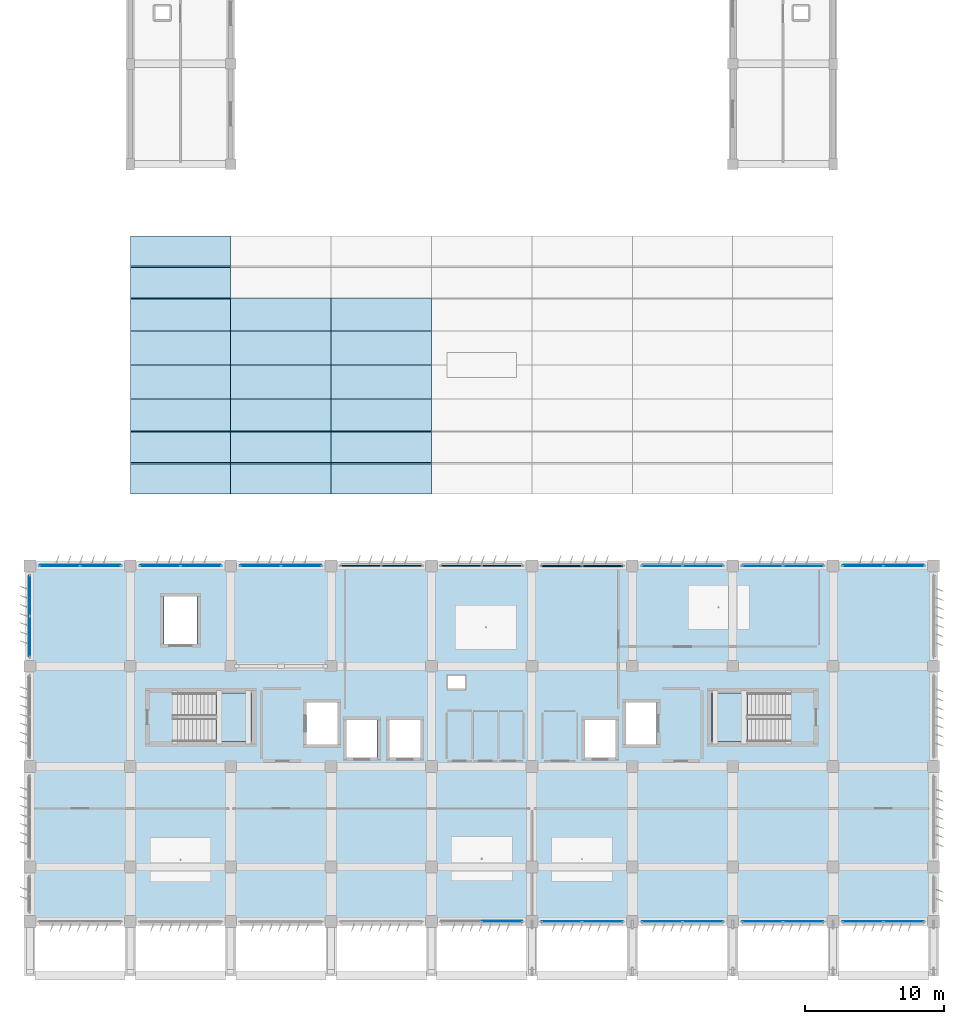
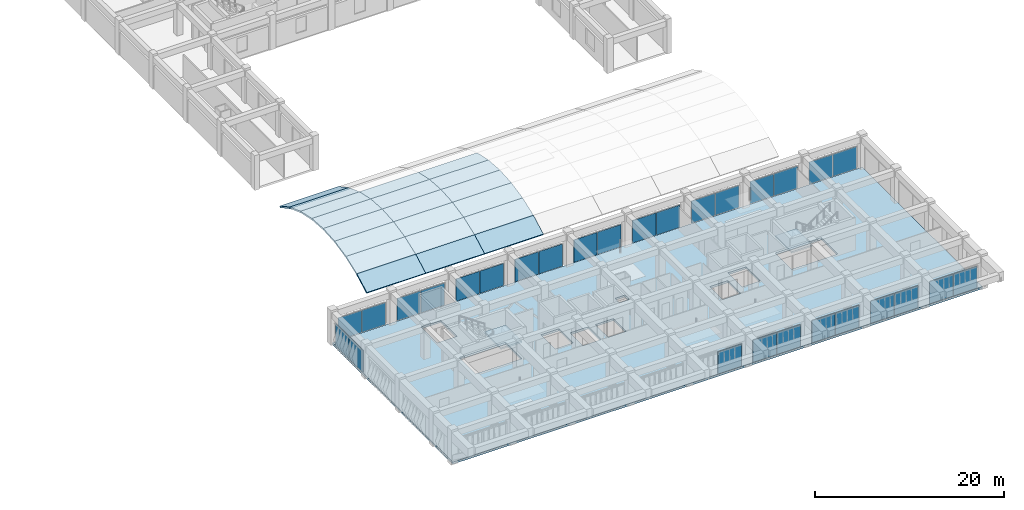
# One storey, part 32 of 56: 29 plates, 23 slabs, 17 elements without a shape of their own.
"""IFC4 building model written with IfcOpenShell, lengths in metres."""

from ifc_helpers import new_model, si_unit, direction, frame, origin, origin_2d, place, context, subcontext, project, spatial, polyline, rectangle, outline, extrude, material, layer, layer_set, type_object, element, aggregate, save


model = new_model("IFC4")

# Units and contexts
model_context = context("Model", 3, precision=1e-05, world=origin(), true_north=direction((0.0, 1.0)))
body_context = subcontext(model_context, "Body", "Model", "MODEL_VIEW")
ifc_project = project(units=[si_unit("LENGTHUNIT", "METRE"), si_unit("AREAUNIT", "SQUARE_METRE"), si_unit("VOLUMEUNIT", "CUBIC_METRE"), si_unit("PLANEANGLEUNIT", "RADIAN"), si_unit("MASSUNIT", "GRAM", prefix="KILO")], contexts=[model_context])

# Site, building, storey
site_placement = place(None, origin())
site = spatial("IfcSite", under=ifc_project, at=site_placement, CompositionType="ELEMENT")
building_placement = place(site_placement, origin())
building = spatial("IfcBuilding", under=site, at=building_placement, Name="Kazehaya Institute of Natural Sciences", CompositionType="ELEMENT")
storey_placement = place(building_placement, frame((0.0, 0.0, 24.300048828125)))
storey = spatial("IfcBuildingStorey", under=building, at=storey_placement, Name="L05", CompositionType="ELEMENT", Elevation=24.300048828125)

# Curtain wall, plates
ifc_material_1 = material(Name="Aluminium alloy A6063S-T5", Category="aluminium")
curtain_wall_type_1 = type_object("IfcCurtainWallType", Name="CW-SYS-04", PredefinedType="NOTDEFINED", material=ifc_material_1)
curtain_wall_1_placement = place(storey_placement, origin())
curtain_wall_1 = element("IfcCurtainWall", 1, at=curtain_wall_1_placement, inside=storey, type_object=curtain_wall_type_1, Name="L05 unitised curtain wall CW-L05-094", PredefinedType="NOTDEFINED")
ifc_material_2 = material(Name="Low-E double-glazed vision glass", Category="glass")
ifc_layer_1 = layer(ifc_material_2, 0.030029296875, Name="Low-E double-glazed vision glass", Category="glass")
ifc_layer_set_1 = layer_set([ifc_layer_1], Name="Low-E double-glazed vision glass")
plate_type_1 = type_object("IfcPlateType", Name="CWP-01", PredefinedType="CURTAIN_PANEL", material=ifc_layer_set_1)
plate_1_placement = place(storey_placement, frame((117.264892578125, 10.10009765625, 0.06005859375), z_axis=(0.0, 0.0, 1.0), x_axis=(-1.0, 0.0, 0.0)))
plate_1 = element("IfcPlate", 2, at=plate_1_placement, type_object=plate_type_1, Name="CW04 panel 1.1", PredefinedType="CURTAIN_PANEL", context=body_context, shape_type="SweptSolid", body=[
    extrude(rectangle(XDim=2.8701171875, YDim=0.030029296875, at=origin_2d()), origin(), (0.0, 0.0, 1.0), 2.8798828125),
])
plate_2_placement = place(storey_placement, frame((114.3349609375, 10.10009765625, 0.06005859375), z_axis=(0.0, 0.0, 1.0), x_axis=(-1.0, 0.0, 0.0)))
plate_2 = element("IfcPlate", 3, at=plate_2_placement, type_object=plate_type_1, Name="CW04 panel 2.1", PredefinedType="CURTAIN_PANEL", context=body_context, shape_type="SweptSolid", body=[
    extrude(rectangle(XDim=2.8701171875, YDim=0.030029296875, at=origin_2d()), origin(), (0.0, 0.0, 1.0), 2.8798828125),
])
aggregate(curtain_wall_1, [plate_1, plate_2])

curtain_wall_2_placement = place(storey_placement, origin())
curtain_wall_2 = element("IfcCurtainWall", 4, at=curtain_wall_2_placement, inside=storey, type_object=curtain_wall_type_1, Name="L05 unitised curtain wall CW-L05-109", PredefinedType="NOTDEFINED")
plate_3_placement = place(storey_placement, frame((99.93505859375, 35.60009765625, 0.06005859375), z_axis=(0.0, 0.0, 1.0), x_axis=(1.0, 0.0, 0.0)))
plate_3 = element("IfcPlate", 5, at=plate_3_placement, type_object=plate_type_1, Name="CW04 panel 1.1", PredefinedType="CURTAIN_PANEL", context=body_context, shape_type="SweptSolid", body=[
    extrude(rectangle(XDim=2.8701171875, YDim=0.030029296875, at=origin_2d()), origin(), (0.0, 0.0, 1.0), 2.8798828125),
])
plate_4_placement = place(storey_placement, frame((102.864990234375, 35.60009765625, 0.06005859375), z_axis=(0.0, 0.0, 1.0), x_axis=(1.0, 0.0, 0.0)))
plate_4 = element("IfcPlate", 6, at=plate_4_placement, type_object=plate_type_1, Name="CW04 panel 2.1", PredefinedType="CURTAIN_PANEL", context=body_context, shape_type="SweptSolid", body=[
    extrude(rectangle(XDim=2.8701171875, YDim=0.030029296875, at=origin_2d()), origin(), (0.0, 0.0, 1.0), 2.8798828125),
])
aggregate(curtain_wall_2, [plate_3, plate_4])

curtain_wall_3_placement = place(storey_placement, origin())
curtain_wall_3 = element("IfcCurtainWall", 7, at=curtain_wall_3_placement, inside=storey, type_object=curtain_wall_type_1, Name="L05 unitised curtain wall CW-L05-095", PredefinedType="NOTDEFINED")
ifc_layer_2 = layer(ifc_material_2, 0.0400390625, Name="Low-E double-glazed vision glass", Category="glass")
ifc_layer_set_2 = layer_set([ifc_layer_2], Name="Low-E double-glazed vision glass")
plate_type_2 = type_object("IfcPlateType", Name="CWP-02", PredefinedType="CURTAIN_PANEL", material=ifc_layer_set_2)
plate_5_placement = place(storey_placement, frame((110.06494140625, 10.10009765625, 0.06005859375), z_axis=(0.0, 0.0, 1.0), x_axis=(-1.0, 0.0, 0.0)))
plate_5 = element("IfcPlate", 8, at=plate_5_placement, type_object=plate_type_2, Name="CW04 panel 1.1", PredefinedType="CURTAIN_PANEL", context=body_context, shape_type="SweptSolid", body=[
    extrude(rectangle(XDim=2.8701171875, YDim=0.0400390625, at=origin_2d()), origin(), (0.0, 0.0, 1.0), 2.8798828125),
])
plate_6_placement = place(storey_placement, frame((107.135009765625, 10.10009765625, 0.06005859375), z_axis=(0.0, 0.0, 1.0), x_axis=(-1.0, 0.0, 0.0)))
plate_6 = element("IfcPlate", 9, at=plate_6_placement, type_object=plate_type_2, Name="CW04 panel 2.1", PredefinedType="CURTAIN_PANEL", context=body_context, shape_type="SweptSolid", body=[
    extrude(rectangle(XDim=2.8701171875, YDim=0.0400390625, at=origin_2d()), origin(), (0.0, 0.0, 1.0), 2.8798828125),
])
aggregate(curtain_wall_3, [plate_5, plate_6])

curtain_wall_4_placement = place(storey_placement, origin())
curtain_wall_4 = element("IfcCurtainWall", 10, at=curtain_wall_4_placement, inside=storey, type_object=curtain_wall_type_1, Name="L05 unitised curtain wall CW-L05-110", PredefinedType="NOTDEFINED")
plate_7_placement = place(storey_placement, frame((107.135009765625, 35.60009765625, 0.06005859375), z_axis=(0.0, 0.0, 1.0), x_axis=(1.0, 0.0, 0.0)))
plate_7 = element("IfcPlate", 11, at=plate_7_placement, type_object=plate_type_2, Name="CW04 panel 1.1", PredefinedType="CURTAIN_PANEL", context=body_context, shape_type="SweptSolid", body=[
    extrude(rectangle(XDim=2.8701171875, YDim=0.0400390625, at=origin_2d()), origin(), (0.0, 0.0, 1.0), 2.8798828125),
])
plate_8_placement = place(storey_placement, frame((110.06494140625, 35.60009765625, 0.06005859375), z_axis=(0.0, 0.0, 1.0), x_axis=(1.0, 0.0, 0.0)))
plate_8 = element("IfcPlate", 12, at=plate_8_placement, type_object=plate_type_2, Name="CW04 panel 2.1", PredefinedType="CURTAIN_PANEL", context=body_context, shape_type="SweptSolid", body=[
    extrude(rectangle(XDim=2.8701171875, YDim=0.0400390625, at=origin_2d()), origin(), (0.0, 0.0, 1.0), 2.8798828125),
])
aggregate(curtain_wall_4, [plate_7, plate_8])

curtain_wall_5_placement = place(storey_placement, origin())
curtain_wall_5 = element("IfcCurtainWall", 13, at=curtain_wall_5_placement, inside=storey, type_object=curtain_wall_type_1, Name="L05 unitised curtain wall CW-L05-096", PredefinedType="NOTDEFINED")
ifc_layer_3 = layer(ifc_material_2, 0.050048828125, Name="Low-E double-glazed vision glass", Category="glass")
ifc_layer_set_3 = layer_set([ifc_layer_3], Name="Low-E double-glazed vision glass")
plate_type_3 = type_object("IfcPlateType", Name="CWP-03", PredefinedType="CURTAIN_PANEL", material=ifc_layer_set_3)
plate_9_placement = place(storey_placement, frame((102.864990234375, 10.10009765625, 0.06005859375), z_axis=(0.0, 0.0, 1.0), x_axis=(-1.0, 0.0, 0.0)))
plate_9 = element("IfcPlate", 14, at=plate_9_placement, type_object=plate_type_3, Name="CW04 panel 1.1", PredefinedType="CURTAIN_PANEL", context=body_context, shape_type="SweptSolid", body=[
    extrude(rectangle(XDim=2.8701171875, YDim=0.050048828125, at=origin_2d()), origin(), (0.0, 0.0, 1.0), 2.8798828125),
])
plate_10_placement = place(storey_placement, frame((99.93505859375, 10.10009765625, 0.06005859375), z_axis=(0.0, 0.0, 1.0), x_axis=(-1.0, 0.0, 0.0)))
plate_10 = element("IfcPlate", 15, at=plate_10_placement, type_object=plate_type_3, Name="CW04 panel 2.1", PredefinedType="CURTAIN_PANEL", context=body_context, shape_type="SweptSolid", body=[
    extrude(rectangle(XDim=2.8701171875, YDim=0.050048828125, at=origin_2d()), origin(), (0.0, 0.0, 1.0), 2.8798828125),
])
aggregate(curtain_wall_5, [plate_9, plate_10])

curtain_wall_6_placement = place(storey_placement, origin())
curtain_wall_6 = element("IfcCurtainWall", 16, at=curtain_wall_6_placement, inside=storey, type_object=curtain_wall_type_1, Name="L05 unitised curtain wall CW-L05-103", PredefinedType="NOTDEFINED")
plate_11_placement = place(storey_placement, frame((56.735107421875, 35.60009765625, 0.06005859375), z_axis=(0.0, 0.0, 1.0), x_axis=(1.0, 0.0, 0.0)))
plate_11 = element("IfcPlate", 17, at=plate_11_placement, type_object=plate_type_3, Name="CW04 panel 1.1", PredefinedType="CURTAIN_PANEL", context=body_context, shape_type="SweptSolid", body=[
    extrude(rectangle(XDim=2.8701171875, YDim=0.050048828125, at=origin_2d()), origin(), (0.0, 0.0, 1.0), 2.8798828125),
])
plate_12_placement = place(storey_placement, frame((59.6650390625, 35.60009765625, 0.06005859375), z_axis=(0.0, 0.0, 1.0), x_axis=(1.0, 0.0, 0.0)))
plate_12 = element("IfcPlate", 18, at=plate_12_placement, type_object=plate_type_3, Name="CW04 panel 2.1", PredefinedType="CURTAIN_PANEL", context=body_context, shape_type="SweptSolid", body=[
    extrude(rectangle(XDim=2.8701171875, YDim=0.050048828125, at=origin_2d()), origin(), (0.0, 0.0, 1.0), 2.8798828125),
])
aggregate(curtain_wall_6, [plate_11, plate_12])

curtain_wall_7_placement = place(storey_placement, origin())
curtain_wall_7 = element("IfcCurtainWall", 19, at=curtain_wall_7_placement, inside=storey, type_object=curtain_wall_type_1, Name="L05 unitised curtain wall CW-L05-111", PredefinedType="NOTDEFINED")
plate_13_placement = place(storey_placement, frame((114.3349609375, 35.60009765625, 0.06005859375), z_axis=(0.0, 0.0, 1.0), x_axis=(1.0, 0.0, 0.0)))
plate_13 = element("IfcPlate", 20, at=plate_13_placement, type_object=plate_type_3, Name="CW04 panel 1.1", PredefinedType="CURTAIN_PANEL", context=body_context, shape_type="SweptSolid", body=[
    extrude(rectangle(XDim=2.8701171875, YDim=0.050048828125, at=origin_2d()), origin(), (0.0, 0.0, 1.0), 2.8798828125),
])
plate_14_placement = place(storey_placement, frame((117.264892578125, 35.60009765625, 0.06005859375), z_axis=(0.0, 0.0, 1.0), x_axis=(1.0, 0.0, 0.0)))
plate_14 = element("IfcPlate", 21, at=plate_14_placement, type_object=plate_type_3, Name="CW04 panel 2.1", PredefinedType="CURTAIN_PANEL", context=body_context, shape_type="SweptSolid", body=[
    extrude(rectangle(XDim=2.8701171875, YDim=0.050048828125, at=origin_2d()), origin(), (0.0, 0.0, 1.0), 2.8798828125),
])
aggregate(curtain_wall_7, [plate_13, plate_14])

curtain_wall_8_placement = place(storey_placement, origin())
curtain_wall_8 = element("IfcCurtainWall", 22, at=curtain_wall_8_placement, inside=storey, type_object=curtain_wall_type_1, Name="L05 unitised curtain wall CW-L05-097", PredefinedType="NOTDEFINED")
ifc_layer_4 = layer(ifc_material_2, 0.06005859375, Name="Low-E double-glazed vision glass", Category="glass")
ifc_layer_set_4 = layer_set([ifc_layer_4], Name="Low-E double-glazed vision glass")
plate_type_4 = type_object("IfcPlateType", Name="CWP-04", PredefinedType="CURTAIN_PANEL", material=ifc_layer_set_4)
plate_15_placement = place(storey_placement, frame((95.6650390625, 10.10009765625, 0.06005859375), z_axis=(0.0, 0.0, 1.0), x_axis=(-1.0, 0.0, 0.0)))
plate_15 = element("IfcPlate", 23, at=plate_15_placement, type_object=plate_type_4, Name="CW04 panel 1.1", PredefinedType="CURTAIN_PANEL", context=body_context, shape_type="SweptSolid", body=[
    extrude(rectangle(XDim=2.8701171875, YDim=0.06005859375, at=origin_2d()), origin(), (0.0, 0.0, 1.0), 2.8798828125),
])
plate_16_placement = place(storey_placement, frame((92.735107421875, 10.10009765625, 0.06005859375), z_axis=(0.0, 0.0, 1.0), x_axis=(-1.0, 0.0, 0.0)))
plate_16 = element("IfcPlate", 24, at=plate_16_placement, type_object=plate_type_4, Name="CW04 panel 2.1", PredefinedType="CURTAIN_PANEL", context=body_context, shape_type="SweptSolid", body=[
    extrude(rectangle(XDim=2.8701171875, YDim=0.06005859375, at=origin_2d()), origin(), (0.0, 0.0, 1.0), 2.8798828125),
])
aggregate(curtain_wall_8, [plate_15, plate_16])

curtain_wall_9_placement = place(storey_placement, origin())
curtain_wall_9 = element("IfcCurtainWall", 25, at=curtain_wall_9_placement, inside=storey, type_object=curtain_wall_type_1, Name="L05 unitised curtain wall CW-L05-104", PredefinedType="NOTDEFINED")
plate_17_placement = place(storey_placement, frame((63.93505859375, 35.60009765625, 0.06005859375), z_axis=(0.0, 0.0, 1.0), x_axis=(1.0, 0.0, 0.0)))
plate_17 = element("IfcPlate", 26, at=plate_17_placement, type_object=plate_type_4, Name="CW04 panel 1.1", PredefinedType="CURTAIN_PANEL", context=body_context, shape_type="SweptSolid", body=[
    extrude(rectangle(XDim=2.8701171875, YDim=0.06005859375, at=origin_2d()), origin(), (0.0, 0.0, 1.0), 2.8798828125),
])
plate_18_placement = place(storey_placement, frame((66.864990234375, 35.60009765625, 0.06005859375), z_axis=(0.0, 0.0, 1.0), x_axis=(1.0, 0.0, 0.0)))
plate_18 = element("IfcPlate", 27, at=plate_18_placement, type_object=plate_type_4, Name="CW04 panel 2.1", PredefinedType="CURTAIN_PANEL", context=body_context, shape_type="SweptSolid", body=[
    extrude(rectangle(XDim=2.8701171875, YDim=0.06005859375, at=origin_2d()), origin(), (0.0, 0.0, 1.0), 2.8798828125),
])
aggregate(curtain_wall_9, [plate_17, plate_18])

# Curtain wall, plate
curtain_wall_10_placement = place(storey_placement, origin())
curtain_wall_10 = element("IfcCurtainWall", 28, at=curtain_wall_10_placement, inside=storey, type_object=curtain_wall_type_1, Name="L05 unitised curtain wall CW-L05-098", PredefinedType="NOTDEFINED")
ifc_material_3 = material(Name="Insulated bronze aluminium spandrel panel", Category="aluminium")
ifc_layer_5 = layer(ifc_material_3, 0.070068359375, Name="Insulated bronze aluminium spandrel panel", Category="aluminium")
ifc_layer_set_5 = layer_set([ifc_layer_5], Name="Insulated bronze aluminium spandrel panel")
plate_type_5 = type_object("IfcPlateType", Name="CWP-05", PredefinedType="CURTAIN_PANEL", material=ifc_layer_set_5)
plate_19_placement = place(storey_placement, frame((88.465087890625, 10.10009765625, 0.06005859375), z_axis=(0.0, 0.0, 1.0), x_axis=(-1.0, 0.0, 0.0)))
plate_19 = element("IfcPlate", 29, at=plate_19_placement, type_object=plate_type_5, Name="CW04 panel 1.1", PredefinedType="CURTAIN_PANEL", context=body_context, shape_type="SweptSolid", body=[
    extrude(rectangle(XDim=2.8701171875, YDim=0.070068359375, at=origin_2d()), origin(), (0.0, 0.0, 1.0), 2.8798828125),
])
aggregate(curtain_wall_10, [plate_19])

# Curtain wall, plates
curtain_wall_11_placement = place(storey_placement, origin())
curtain_wall_11 = element("IfcCurtainWall", 30, at=curtain_wall_11_placement, inside=storey, type_object=curtain_wall_type_1, Name="L05 unitised curtain wall CW-L05-105", PredefinedType="NOTDEFINED")
plate_20_placement = place(storey_placement, frame((71.135009765625, 35.60009765625, 0.06005859375), z_axis=(0.0, 0.0, 1.0), x_axis=(1.0, 0.0, 0.0)))
plate_20 = element("IfcPlate", 31, at=plate_20_placement, type_object=plate_type_5, Name="CW04 panel 1.1", PredefinedType="CURTAIN_PANEL", context=body_context, shape_type="SweptSolid", body=[
    extrude(rectangle(XDim=2.8701171875, YDim=0.070068359375, at=origin_2d()), origin(), (0.0, 0.0, 1.0), 2.8798828125),
])
plate_21_placement = place(storey_placement, frame((74.06494140625, 35.60009765625, 0.06005859375), z_axis=(0.0, 0.0, 1.0), x_axis=(1.0, 0.0, 0.0)))
plate_21 = element("IfcPlate", 32, at=plate_21_placement, type_object=plate_type_5, Name="CW04 panel 2.1", PredefinedType="CURTAIN_PANEL", context=body_context, shape_type="SweptSolid", body=[
    extrude(rectangle(XDim=2.8701171875, YDim=0.070068359375, at=origin_2d()), origin(), (0.0, 0.0, 1.0), 2.8798828125),
])
aggregate(curtain_wall_11, [plate_20, plate_21])

curtain_wall_type_2 = type_object("IfcCurtainWallType", Name="CW-SYS-10", PredefinedType="NOTDEFINED", material=ifc_material_1)
curtain_wall_12_placement = place(storey_placement, origin())
curtain_wall_12 = element("IfcCurtainWall", 33, at=curtain_wall_12_placement, inside=storey, type_object=curtain_wall_type_2, Name="L05 unitised curtain wall CW-L05-118", PredefinedType="NOTDEFINED")
plate_22_placement = place(storey_placement, frame((54.60009765625, 30.534912109375, 0.06005859375), z_axis=(0.0, 0.0, 1.0), x_axis=(0.0, 1.0, 0.0)))
plate_22 = element("IfcPlate", 34, at=plate_22_placement, type_object=plate_type_5, Name="CW10 panel 1.1", PredefinedType="CURTAIN_PANEL", context=body_context, shape_type="SweptSolid", body=[
    extrude(rectangle(XDim=2.8701171875, YDim=0.070068359375, at=origin_2d()), origin(), (0.0, 0.0, 1.0), 2.8798828125),
])
plate_23_placement = place(storey_placement, frame((54.60009765625, 33.465087890625, 0.06005859375), z_axis=(0.0, 0.0, 1.0), x_axis=(0.0, 1.0, 0.0)))
plate_23 = element("IfcPlate", 35, at=plate_23_placement, type_object=plate_type_5, Name="CW10 panel 2.1", PredefinedType="CURTAIN_PANEL", context=body_context, shape_type="SweptSolid", body=[
    extrude(rectangle(XDim=2.8701171875, YDim=0.070068359375, at=origin_2d()), origin(), (0.0, 0.0, 1.0), 2.8798828125),
])
aggregate(curtain_wall_12, [plate_22, plate_23])

curtain_wall_13_placement = place(storey_placement, origin())
curtain_wall_13 = element("IfcCurtainWall", 36, at=curtain_wall_13_placement, inside=storey, type_object=curtain_wall_type_1, Name="L05 unitised curtain wall CW-L05-106", PredefinedType="NOTDEFINED")
ifc_layer_6 = layer(ifc_material_3, 0.080078125, Name="Insulated bronze aluminium spandrel panel", Category="aluminium")
ifc_layer_set_6 = layer_set([ifc_layer_6], Name="Insulated bronze aluminium spandrel panel")
plate_type_6 = type_object("IfcPlateType", Name="CWP-06", PredefinedType="CURTAIN_PANEL", material=ifc_layer_set_6)
plate_24_placement = place(storey_placement, frame((78.3349609375, 35.60009765625, 0.06005859375), z_axis=(0.0, 0.0, 1.0), x_axis=(1.0, 0.0, 0.0)))
plate_24 = element("IfcPlate", 37, at=plate_24_placement, type_object=plate_type_6, Name="CW04 panel 1.1", PredefinedType="CURTAIN_PANEL", context=body_context, shape_type="SweptSolid", body=[
    extrude(rectangle(XDim=2.8701171875, YDim=0.080078125, at=origin_2d()), origin(), (0.0, 0.0, 1.0), 2.8798828125),
])
plate_25_placement = place(storey_placement, frame((81.264892578125, 35.60009765625, 0.06005859375), z_axis=(0.0, 0.0, 1.0), x_axis=(1.0, 0.0, 0.0)))
plate_25 = element("IfcPlate", 38, at=plate_25_placement, type_object=plate_type_6, Name="CW04 panel 2.1", PredefinedType="CURTAIN_PANEL", context=body_context, shape_type="SweptSolid", body=[
    extrude(rectangle(XDim=2.8701171875, YDim=0.080078125, at=origin_2d()), origin(), (0.0, 0.0, 1.0), 2.8798828125),
])
aggregate(curtain_wall_13, [plate_24, plate_25])

curtain_wall_14_placement = place(storey_placement, origin())
curtain_wall_14 = element("IfcCurtainWall", 39, at=curtain_wall_14_placement, inside=storey, type_object=curtain_wall_type_1, Name="L05 unitised curtain wall CW-L05-107", PredefinedType="NOTDEFINED")
ifc_layer_7 = layer(ifc_material_3, 0.090087890625, Name="Insulated bronze aluminium spandrel panel", Category="aluminium")
ifc_layer_set_7 = layer_set([ifc_layer_7], Name="Insulated bronze aluminium spandrel panel")
plate_type_7 = type_object("IfcPlateType", Name="CWP-07", PredefinedType="CURTAIN_PANEL", material=ifc_layer_set_7)
plate_26_placement = place(storey_placement, frame((85.534912109375, 35.60009765625, 0.06005859375), z_axis=(0.0, 0.0, 1.0), x_axis=(1.0, 0.0, 0.0)))
plate_26 = element("IfcPlate", 40, at=plate_26_placement, type_object=plate_type_7, Name="CW04 panel 1.1", PredefinedType="CURTAIN_PANEL", context=body_context, shape_type="SweptSolid", body=[
    extrude(rectangle(XDim=2.8701171875, YDim=0.090087890625, at=origin_2d()), origin(), (0.0, 0.0, 1.0), 2.8798828125),
])
plate_27_placement = place(storey_placement, frame((88.465087890625, 35.60009765625, 0.06005859375), z_axis=(0.0, 0.0, 1.0), x_axis=(1.0, 0.0, 0.0)))
plate_27 = element("IfcPlate", 41, at=plate_27_placement, type_object=plate_type_7, Name="CW04 panel 2.1", PredefinedType="CURTAIN_PANEL", context=body_context, shape_type="SweptSolid", body=[
    extrude(rectangle(XDim=2.8701171875, YDim=0.090087890625, at=origin_2d()), origin(), (0.0, 0.0, 1.0), 2.8798828125),
])
aggregate(curtain_wall_14, [plate_26, plate_27])

curtain_wall_15_placement = place(storey_placement, origin())
curtain_wall_15 = element("IfcCurtainWall", 42, at=curtain_wall_15_placement, inside=storey, type_object=curtain_wall_type_1, Name="L05 unitised curtain wall CW-L05-108", PredefinedType="NOTDEFINED")
ifc_layer_8 = layer(ifc_material_3, 0.10009765625, Name="Insulated bronze aluminium spandrel panel", Category="aluminium")
ifc_layer_set_8 = layer_set([ifc_layer_8], Name="Insulated bronze aluminium spandrel panel")
plate_type_8 = type_object("IfcPlateType", Name="CWP-08", PredefinedType="CURTAIN_PANEL", material=ifc_layer_set_8)
plate_28_placement = place(storey_placement, frame((92.735107421875, 35.60009765625, 0.06005859375), z_axis=(0.0, 0.0, 1.0), x_axis=(1.0, 0.0, 0.0)))
plate_28 = element("IfcPlate", 43, at=plate_28_placement, type_object=plate_type_8, Name="CW04 panel 1.1", PredefinedType="CURTAIN_PANEL", context=body_context, shape_type="SweptSolid", body=[
    extrude(rectangle(XDim=2.8701171875, YDim=0.10009765625, at=origin_2d()), origin(), (0.0, 0.0, 1.0), 2.8798828125),
])
plate_29_placement = place(storey_placement, frame((95.6650390625, 35.60009765625, 0.06005859375), z_axis=(0.0, 0.0, 1.0), x_axis=(1.0, 0.0, 0.0)))
plate_29 = element("IfcPlate", 44, at=plate_29_placement, type_object=plate_type_8, Name="CW04 panel 2.1", PredefinedType="CURTAIN_PANEL", context=body_context, shape_type="SweptSolid", body=[
    extrude(rectangle(XDim=2.8701171875, YDim=0.10009765625, at=origin_2d()), origin(), (0.0, 0.0, 1.0), 2.8798828125),
])
aggregate(curtain_wall_15, [plate_28, plate_29])

# Slab
ifc_material_4 = material(Name="Concrete Fc36", Category="concrete")
ifc_layer_9 = layer(ifc_material_4, 0.27001953125, Name="Concrete Fc36", Category="concrete")
ifc_layer_set_9 = layer_set([ifc_layer_9], Name="Concrete Fc36")
slab_type_1 = type_object("IfcSlabType", Name="SL-FLR-270", PredefinedType="FLOOR", material=ifc_layer_set_9)
slab_1_placement = place(storey_placement, frame((0.0, 0.0, -0.27001953125)))
element("IfcSlab", 45, at=slab_1_placement, inside=storey, type_object=slab_type_1, Name="L05 structural slab L05-VOL4", PredefinedType="FLOOR", context=body_context, shape_type="SweptSolid", body=[
    extrude(outline(polyline([(54.60009765625, 10.10009765625), (119.39990234375, 10.10009765625), (119.39990234375, 35.60009765625), (54.60009765625, 35.60009765625), (54.60009765625, 10.10009765625)]), holes=[polyline([(84.60009765625, 26.800048828125), (85.800048828125, 26.800048828125), (85.800048828125, 27.699951171875), (84.60009765625, 27.699951171875), (84.60009765625, 26.800048828125)]), polyline([(64.860107421875, 23.0), (70.5, 23.0), (70.5, 26.47998046875), (64.860107421875, 26.47998046875), (64.860107421875, 23.0)]), polyline([(103.5, 23.0), (109.139892578125, 23.0), (109.139892578125, 26.47998046875), (103.5, 26.47998046875), (103.5, 23.0)]), polyline([(74.449951171875, 22.800048828125), (76.64990234375, 22.800048828125), (76.64990234375, 25.800048828125), (74.449951171875, 25.800048828125), (74.449951171875, 22.800048828125)]), polyline([(97.35009765625, 22.800048828125), (99.550048828125, 22.800048828125), (99.550048828125, 25.800048828125), (97.35009765625, 25.800048828125), (97.35009765625, 22.800048828125)]), polyline([(77.300048828125, 21.85009765625), (79.5, 21.85009765625), (79.5, 24.550048828125), (77.300048828125, 24.550048828125), (77.300048828125, 21.85009765625)]), polyline([(80.39990234375, 21.85009765625), (82.60009765625, 21.85009765625), (82.60009765625, 24.550048828125), (80.39990234375, 24.550048828125), (80.39990234375, 21.85009765625)]), polyline([(94.39990234375, 21.85009765625), (96.60009765625, 21.85009765625), (96.60009765625, 24.550048828125), (94.39990234375, 24.550048828125), (94.39990234375, 21.85009765625)]), polyline([(64.199951171875, 30.0), (66.60009765625, 30.0), (66.60009765625, 33.39990234375), (64.199951171875, 33.39990234375), (64.199951171875, 30.0)])]), origin(), (0.0, 0.0, 1.0), 0.27001953125),
])

# Stair, slab
stair_type = type_object("IfcStairType", Name="STR-DOG-4500", PredefinedType="HALF_TURN_STAIR", material=ifc_material_4)
stair_1_placement = place(storey_placement, origin())
stair_1 = element("IfcStair", 46, at=stair_1_placement, inside=storey, type_object=stair_type, Name="L05 Protected Escape Stair ST-1", PredefinedType="HALF_TURN_STAIR")
ifc_layer_10 = layer(ifc_material_4, 0.159912109375, Name="Concrete Fc36", Category="concrete")
ifc_layer_set_10 = layer_set([ifc_layer_10], Name="Concrete Fc36")
slab_type_2 = type_object("IfcSlabType", Name="SL-LND-160", PredefinedType="LANDING", material=ifc_layer_set_10)
slab_2_placement = place(storey_placement, frame((0.0, 0.0, 2.050048828125)))
slab_2 = element("IfcSlab", 47, at=slab_2_placement, type_object=slab_type_2, Name="ST-1 landing 1", PredefinedType="LANDING", context=body_context, shape_type="SweptSolid", body=[
    extrude(outline(polyline([(67.93994140625, 23.0), (70.5, 23.0), (70.5, 26.47998046875), (67.93994140625, 26.47998046875), (67.93994140625, 23.0)])), origin(), (0.0, 0.0, 1.0), 0.199951171875),
])
aggregate(stair_1, [slab_2])

stair_2_placement = place(storey_placement, origin())
stair_2 = element("IfcStair", 48, at=stair_2_placement, inside=storey, type_object=stair_type, Name="L05 Protected Escape Stair ST-2", PredefinedType="HALF_TURN_STAIR")
slab_3_placement = place(storey_placement, frame((0.0, 0.0, 2.050048828125)))
slab_3 = element("IfcSlab", 49, at=slab_3_placement, type_object=slab_type_2, Name="ST-2 landing 1", PredefinedType="LANDING", context=body_context, shape_type="SweptSolid", body=[
    extrude(outline(polyline([(106.06005859375, 26.47998046875), (103.5, 26.47998046875), (103.5, 23.0), (106.06005859375, 23.0), (106.06005859375, 26.47998046875)])), origin(), (0.0, 0.0, 1.0), 0.199951171875),
])
aggregate(stair_2, [slab_3])

# Slabs
ifc_layer_11 = layer(ifc_material_4, 0.199951171875, Name="Concrete Fc36", Category="concrete")
ifc_layer_set_11 = layer_set([ifc_layer_11], Name="Concrete Fc36")
slab_type_3 = type_object("IfcSlabType", Name="SL-SHL-200", PredefinedType="ROOF", material=ifc_layer_set_11)
slab_4_placement = place(storey_placement, frame((61.800048828125, 40.760986328125, 0.806396484375), z_axis=(0.0, -0.476350933453, 0.87925524633), x_axis=(1.0, 0.0, 0.0)))
element("IfcSlab", 50, at=slab_4_placement, inside=storey, type_object=slab_type_3, Name="SH-VOL2 barrel vault shell strip 4", PredefinedType="ROOF", context=body_context, shape_type="SweptSolid", body=[
    extrude(outline(polyline([(0.0, 0.0), (7.199951171875, 0.0), (7.199951171875, 2.436532501020373), (0.0, 2.436532501020373), (0.0, 0.0)])), origin(), (0.0, 0.0, -1.0), 0.199951171875),
])
slab_5_placement = place(storey_placement, frame((61.800048828125, 42.9033203125, 1.967041015625), z_axis=(0.0, -0.347112002648, 0.937823681519), x_axis=(1.0, 0.0, 0.0)))
element("IfcSlab", 51, at=slab_5_placement, inside=storey, type_object=slab_type_3, Name="SH-VOL2 barrel vault shell strip 5", PredefinedType="ROOF", context=body_context, shape_type="SweptSolid", body=[
    extrude(outline(polyline([(0.0, 0.0), (7.199951171875, 0.0), (7.199951171875, 2.436398391725638), (0.0, 2.436398391725638), (0.0, 0.0)])), origin(), (0.0, 0.0, -1.0), 0.199951171875),
])
slab_6_placement = place(storey_placement, frame((61.800048828125, 45.188232421875, 2.812744140625), z_axis=(0.0, -0.211239645858, 0.977434300615), x_axis=(1.0, 0.0, 0.0)))
element("IfcSlab", 52, at=slab_6_placement, inside=storey, type_object=slab_type_3, Name="SH-VOL2 barrel vault shell strip 6", PredefinedType="ROOF", context=body_context, shape_type="SweptSolid", body=[
    extrude(outline(polyline([(0.0, 0.0), (7.199951171875, 0.0), (7.199951171875, 2.4363250345856073), (0.0, 2.4363250345856073), (0.0, 0.0)])), origin(), (0.0, 0.0, -1.0), 0.199951171875),
])
for number, where, z_axis, x_axis, name in (
    (53, (61.800048828125, 47.569580078125, 3.327392578125), (0.0, -0.070841159175, 0.997487609029), (1.0, 0.0, 0.0), "SH-VOL2 barrel vault shell strip 7"),
    (54, (61.800048828125, 50.0, 3.5), (0.0, 0.070841159175, 0.997487609029), (1.0, 0.0, 0.0), "SH-VOL2 barrel vault shell strip 8"),
):
    element("IfcSlab", number, at=place(storey_placement, frame(where, z_axis=z_axis, x_axis=x_axis)), inside=storey, type_object=slab_type_3, Name=name, PredefinedType="ROOF", context=body_context, shape_type="SweptSolid", body=[
        extrude(outline(polyline([(0.0, 0.0), (7.199951171875, 0.0), (7.199951171875, 2.436541466655804), (0.0, 2.436541466655804), (0.0, 0.0)])), origin(), (0.0, 0.0, -1.0), 0.199951171875),
    ])
slab_7_placement = place(storey_placement, frame((61.800048828125, 52.430419921875, 3.327392578125), z_axis=(0.0, 0.211239645858, 0.977434300615), x_axis=(1.0, 0.0, 0.0)))
element("IfcSlab", 55, at=slab_7_placement, inside=storey, type_object=slab_type_3, Name="SH-VOL2 barrel vault shell strip 9", PredefinedType="ROOF", context=body_context, shape_type="SweptSolid", body=[
    extrude(outline(polyline([(0.0, 0.0), (7.199951171875, 0.0), (7.199951171875, 2.4363250345856073), (0.0, 2.4363250345856073), (0.0, 0.0)])), origin(), (0.0, 0.0, -1.0), 0.199951171875),
])
slab_8_placement = place(storey_placement, frame((61.800048828125, 54.811767578125, 2.812744140625), z_axis=(0.0, 0.347112002648, 0.937823681519), x_axis=(1.0, 0.0, 0.0)))
element("IfcSlab", 56, at=slab_8_placement, inside=storey, type_object=slab_type_3, Name="SH-VOL2 barrel vault shell strip 10", PredefinedType="ROOF", context=body_context, shape_type="SweptSolid", body=[
    extrude(outline(polyline([(0.0, 0.0), (7.199951171875, 0.0), (7.199951171875, 2.436398391725638), (0.0, 2.436398391725638), (0.0, 0.0)])), origin(), (0.0, 0.0, -1.0), 0.199951171875),
])
for number, where, z_axis, x_axis, name in (
    (57, (61.800048828125, 57.0966796875, 1.967041015625), (0.0, 0.476350933453, 0.87925524633), (1.0, 0.0, 0.0), "SH-VOL2 barrel vault shell strip 11"),
    (58, (69.0, 40.760986328125, 0.806396484375), (0.0, -0.476350933453, 0.87925524633), (1.0, 0.0, 0.0), "SH-VOL2 barrel vault shell strip 4"),
):
    element("IfcSlab", number, at=place(storey_placement, frame(where, z_axis=z_axis, x_axis=x_axis)), inside=storey, type_object=slab_type_3, Name=name, PredefinedType="ROOF", context=body_context, shape_type="SweptSolid", body=[
        extrude(outline(polyline([(0.0, 0.0), (7.199951171875, 0.0), (7.199951171875, 2.436532501020373), (0.0, 2.436532501020373), (0.0, 0.0)])), origin(), (0.0, 0.0, -1.0), 0.199951171875),
    ])
slab_9_placement = place(storey_placement, frame((69.0, 42.9033203125, 1.967041015625), z_axis=(0.0, -0.347112002648, 0.937823681519), x_axis=(1.0, 0.0, 0.0)))
element("IfcSlab", 59, at=slab_9_placement, inside=storey, type_object=slab_type_3, Name="SH-VOL2 barrel vault shell strip 5", PredefinedType="ROOF", context=body_context, shape_type="SweptSolid", body=[
    extrude(outline(polyline([(0.0, 0.0), (7.199951171875, 0.0), (7.199951171875, 2.436398391725638), (0.0, 2.436398391725638), (0.0, 0.0)])), origin(), (0.0, 0.0, -1.0), 0.199951171875),
])
slab_10_placement = place(storey_placement, frame((69.0, 45.188232421875, 2.812744140625), z_axis=(0.0, -0.211239645858, 0.977434300615), x_axis=(1.0, 0.0, 0.0)))
element("IfcSlab", 60, at=slab_10_placement, inside=storey, type_object=slab_type_3, Name="SH-VOL2 barrel vault shell strip 6", PredefinedType="ROOF", context=body_context, shape_type="SweptSolid", body=[
    extrude(outline(polyline([(0.0, 0.0), (7.199951171875, 0.0), (7.199951171875, 2.4363250345856073), (0.0, 2.4363250345856073), (0.0, 0.0)])), origin(), (0.0, 0.0, -1.0), 0.199951171875),
])
for number, where, z_axis, x_axis, name in (
    (61, (69.0, 47.569580078125, 3.327392578125), (0.0, -0.070841159175, 0.997487609029), (1.0, 0.0, 0.0), "SH-VOL2 barrel vault shell strip 7"),
    (62, (69.0, 50.0, 3.5), (0.0, 0.070841159175, 0.997487609029), (1.0, 0.0, 0.0), "SH-VOL2 barrel vault shell strip 8"),
):
    element("IfcSlab", number, at=place(storey_placement, frame(where, z_axis=z_axis, x_axis=x_axis)), inside=storey, type_object=slab_type_3, Name=name, PredefinedType="ROOF", context=body_context, shape_type="SweptSolid", body=[
        extrude(outline(polyline([(0.0, 0.0), (7.199951171875, 0.0), (7.199951171875, 2.436541466655804), (0.0, 2.436541466655804), (0.0, 0.0)])), origin(), (0.0, 0.0, -1.0), 0.199951171875),
    ])
slab_11_placement = place(storey_placement, frame((69.0, 52.430419921875, 3.327392578125), z_axis=(0.0, 0.211239645858, 0.977434300615), x_axis=(1.0, 0.0, 0.0)))
element("IfcSlab", 63, at=slab_11_placement, inside=storey, type_object=slab_type_3, Name="SH-VOL2 barrel vault shell strip 9", PredefinedType="ROOF", context=body_context, shape_type="SweptSolid", body=[
    extrude(outline(polyline([(0.0, 0.0), (7.199951171875, 0.0), (7.199951171875, 2.4363250345856073), (0.0, 2.4363250345856073), (0.0, 0.0)])), origin(), (0.0, 0.0, -1.0), 0.199951171875),
])
slab_12_placement = place(storey_placement, frame((76.199951171875, 40.760986328125, 0.806396484375), z_axis=(0.0, -0.476350933453, 0.87925524633), x_axis=(1.0, 0.0, 0.0)))
element("IfcSlab", 64, at=slab_12_placement, inside=storey, type_object=slab_type_3, Name="SH-VOL2 barrel vault shell strip 4", PredefinedType="ROOF", context=body_context, shape_type="SweptSolid", body=[
    extrude(outline(polyline([(0.0, 0.0), (7.199951171875, 0.0), (7.199951171875, 2.436532501020373), (0.0, 2.436532501020373), (0.0, 0.0)])), origin(), (0.0, 0.0, -1.0), 0.199951171875),
])
slab_13_placement = place(storey_placement, frame((76.199951171875, 42.9033203125, 1.967041015625), z_axis=(0.0, -0.347112002648, 0.937823681519), x_axis=(1.0, 0.0, 0.0)))
element("IfcSlab", 65, at=slab_13_placement, inside=storey, type_object=slab_type_3, Name="SH-VOL2 barrel vault shell strip 5", PredefinedType="ROOF", context=body_context, shape_type="SweptSolid", body=[
    extrude(outline(polyline([(0.0, 0.0), (7.199951171875, 0.0), (7.199951171875, 2.436398391725638), (0.0, 2.436398391725638), (0.0, 0.0)])), origin(), (0.0, 0.0, -1.0), 0.199951171875),
])
slab_14_placement = place(storey_placement, frame((76.199951171875, 45.188232421875, 2.812744140625), z_axis=(0.0, -0.211239645858, 0.977434300615), x_axis=(1.0, 0.0, 0.0)))
element("IfcSlab", 66, at=slab_14_placement, inside=storey, type_object=slab_type_3, Name="SH-VOL2 barrel vault shell strip 6", PredefinedType="ROOF", context=body_context, shape_type="SweptSolid", body=[
    extrude(outline(polyline([(0.0, 0.0), (7.199951171875, 0.0), (7.199951171875, 2.4363250345856073), (0.0, 2.4363250345856073), (0.0, 0.0)])), origin(), (0.0, 0.0, -1.0), 0.199951171875),
])
for number, where, z_axis, x_axis, name in (
    (67, (76.199951171875, 47.569580078125, 3.327392578125), (0.0, -0.070841159175, 0.997487609029), (1.0, 0.0, 0.0), "SH-VOL2 barrel vault shell strip 7"),
    (68, (76.199951171875, 50.0, 3.5), (0.0, 0.070841159175, 0.997487609029), (1.0, 0.0, 0.0), "SH-VOL2 barrel vault shell strip 8"),
):
    element("IfcSlab", number, at=place(storey_placement, frame(where, z_axis=z_axis, x_axis=x_axis)), inside=storey, type_object=slab_type_3, Name=name, PredefinedType="ROOF", context=body_context, shape_type="SweptSolid", body=[
        extrude(outline(polyline([(0.0, 0.0), (7.199951171875, 0.0), (7.199951171875, 2.436541466655804), (0.0, 2.436541466655804), (0.0, 0.0)])), origin(), (0.0, 0.0, -1.0), 0.199951171875),
    ])
slab_15_placement = place(storey_placement, frame((76.199951171875, 52.430419921875, 3.327392578125), z_axis=(0.0, 0.211239645858, 0.977434300615), x_axis=(1.0, 0.0, 0.0)))
element("IfcSlab", 69, at=slab_15_placement, inside=storey, type_object=slab_type_3, Name="SH-VOL2 barrel vault shell strip 9", PredefinedType="ROOF", context=body_context, shape_type="SweptSolid", body=[
    extrude(outline(polyline([(0.0, 0.0), (7.199951171875, 0.0), (7.199951171875, 2.4363250345856073), (0.0, 2.4363250345856073), (0.0, 0.0)])), origin(), (0.0, 0.0, -1.0), 0.199951171875),
])

save(model, "model.ifc")
